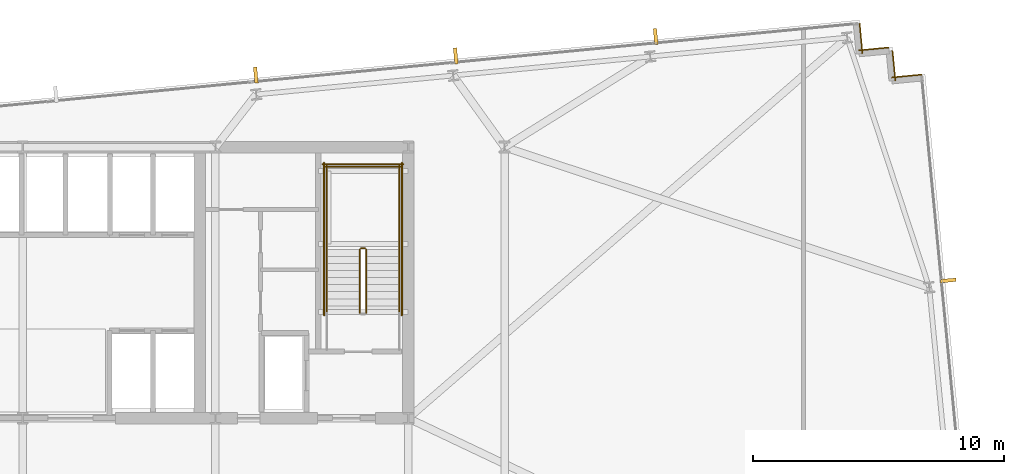
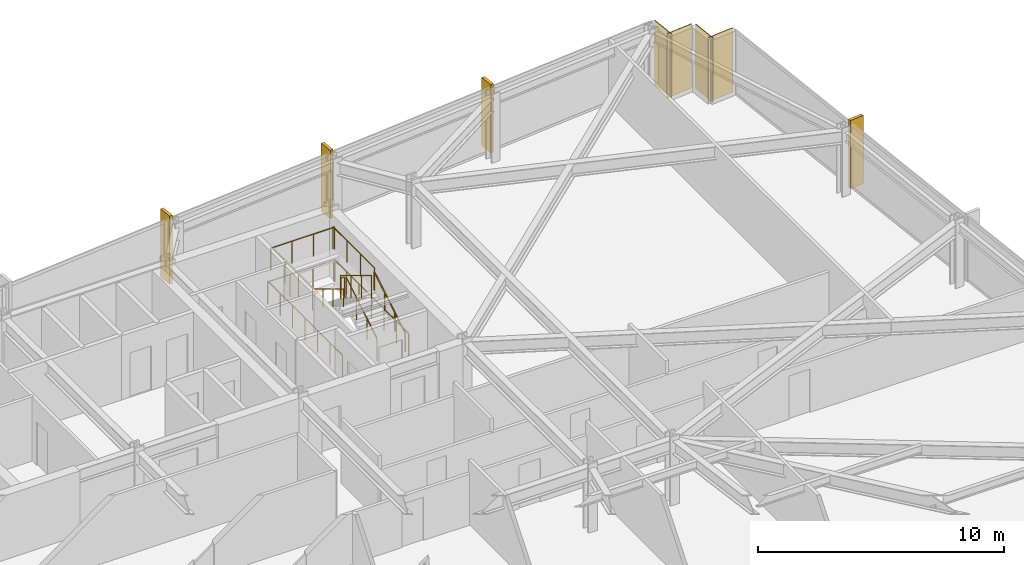
# One storey, part 32 of 32: 11 railings, 4 coverings, 4 shading devices.
"""IFC4 building model written with IfcOpenShell, lengths in metres."""

from ifc_helpers import new_model, si_unit, direction, frame, frame_2d, origin, origin_2d, place, context, subcontext, project, spatial, rectangle, circle, extrude, material, layer, layer_set, type_object, element, save


model = new_model("IFC4")

# Units and contexts
model_context = context("Model", 3, precision=1e-05, world=origin(), true_north=direction((0.0, 1.0)))
body_context = subcontext(model_context, "Body", "Model", "MODEL_VIEW")
ifc_project = project(units=[si_unit("LENGTHUNIT", "METRE"), si_unit("AREAUNIT", "SQUARE_METRE"), si_unit("VOLUMEUNIT", "CUBIC_METRE"), si_unit("PLANEANGLEUNIT", "RADIAN"), si_unit("MASSUNIT", "GRAM", prefix="KILO")], contexts=[model_context])

# Site, building, storey
site_placement = place(None, origin())
site = spatial("IfcSite", under=ifc_project, at=site_placement, CompositionType="ELEMENT")
building_placement = place(site_placement, origin())
building = spatial("IfcBuilding", under=site, at=building_placement, Name="Yelkora Congress Tower", CompositionType="ELEMENT")
storey_placement = place(building_placement, frame((0.0, 0.0, 130.5)))
storey = spatial("IfcBuildingStorey", under=building, at=storey_placement, Name="L35", CompositionType="ELEMENT", Elevation=130.5)

# Coverings
ifc_material_1 = material(Name="Anatolian bush-hammered limestone", Category="masonry")
ifc_layer_1 = layer(ifc_material_1, 0.0400390625)
ifc_layer_set_1 = layer_set([ifc_layer_1], Name="Anatolian bush-hammered limestone")
covering_type = type_object("IfcCoveringType", Name="COV-CLAD-SPANDREL-40", PredefinedType="CLADDING", material=ifc_layer_set_1)
for number, where, z_axis, x_axis, name in (
    (1, (71.74609375, 51.1279296875, 0.0), (0.0, 0.0, 1.0), (0.095817067274, -0.995398960025, 0.0), "L35 Anatolian Limestone Cladding EW-L35-SR11"),
    (2, (71.7138671875, 50.0546875, 0.0), (0.0, 0.0, 1.0), (0.995379537303, 0.096018626938, 0.0), "L35 Anatolian Limestone Cladding EW-L35-SR12"),
):
    element("IfcCovering", number, at=place(storey_placement, frame(where, z_axis=z_axis, x_axis=x_axis)), inside=storey, type_object=covering_type, Name=name, PredefinedType="CLADDING", context=body_context, shape_type="SweptSolid", body=[
        extrude(rectangle(XDim=1.2001953125, YDim=0.0400390625, at=frame_2d((0.60009765625, 0.0))), origin(), (0.0, 0.0, 1.0), 3.179931640625),
    ])
covering_1_placement = place(storey_placement, frame((73.0556640625, 50.04833984375, 0.0), z_axis=(0.0, 0.0, 1.0), x_axis=(0.095836473879, -0.995397091755, 0.0)))
element("IfcCovering", 3, at=covering_1_placement, inside=storey, type_object=covering_type, Name="L35 Anatolian Limestone Cladding EW-L35-SR13", PredefinedType="CLADDING", context=body_context, shape_type="SweptSolid", body=[
    extrude(rectangle(XDim=1.199951171875, YDim=0.0400390625, at=frame_2d((0.60009765625, 0.0))), origin(), (0.0, 0.0, 1.0), 3.179931640625),
])
covering_2_placement = place(storey_placement, frame((73.0234375, 48.975341796875, 0.0), z_axis=(0.0, 0.0, 1.0), x_axis=(0.995398960025, 0.095817067274, 0.0)))
element("IfcCovering", 4, at=covering_2_placement, inside=storey, type_object=covering_type, Name="L35 Anatolian Limestone Cladding EW-L35-SR14", PredefinedType="CLADDING", context=body_context, shape_type="SweptSolid", body=[
    extrude(rectangle(XDim=1.2001953125, YDim=0.0400390625, at=frame_2d((0.60009765625, 0.0))), origin(), (0.0, 0.0, 1.0), 3.179931640625),
])

# Railings
ifc_material_2 = material(Name="Painted galvanised steel stair well guard with vertical infill", Category="steel")
ifc_layer_2 = layer(ifc_material_2, 0.06005859375)
ifc_layer_set_2 = layer_set([ifc_layer_2], Name="Painted galvanised steel stair well guard with vertical infill")
railing_type_1 = type_object("IfcRailingType", Name="RAIL-STAIR-GUARD-1120", PredefinedType="GUARDRAIL", material=ifc_layer_set_2)
railing_1_placement = place(storey_placement, frame((52.090087890625, 39.60009765625, 0.169921875)))
element("IfcRailing", 5, at=railing_1_placement, inside=storey, type_object=railing_type_1, Name="ST-02 L35 Stair Well Guardrail 1", PredefinedType="GUARDRAIL", context=body_context, shape_type="SweptSolid", body=[
    extrude(circle(Radius=0.02392578125, at=origin_2d()), frame((0.0, 0.0, 1.09619140625), z_axis=(0.0, 0.85478489116, 0.518982456201), x_axis=(-1.0, 0.0, 0.0)), (0.0, 0.0, 1.0), 2.9482421875),
    extrude(circle(Radius=0.02099609375, at=origin_2d()), origin(), (0.0, 0.0, 1.0), 1.072021484375),
    extrude(circle(Radius=0.02099609375, at=origin_2d()), frame((0.0, 0.840087890625, 0.510009765625)), (0.0, 0.0, 1.0), 1.072021484375),
    extrude(circle(Radius=0.02099609375, at=origin_2d()), frame((0.0, 1.679931640625, 1.02001953125)), (0.0, 0.0, 1.0), 1.072021484375),
    extrude(circle(Radius=0.02099609375, at=origin_2d()), frame((0.0, 2.52001953125, 1.530029296875)), (0.0, 0.0, 1.0), 1.072021484375),
])
railing_2_placement = place(storey_placement, frame((52.0400390625, 42.169921875, 1.699951171875)))
element("IfcRailing", 6, at=railing_2_placement, inside=storey, type_object=railing_type_1, Name="ST-02 L35 Stair Well Guardrail 2", PredefinedType="GUARDRAIL", context=body_context, shape_type="SweptSolid", body=[
    extrude(circle(Radius=0.02392578125, at=origin_2d()), frame((0.0, 0.0, 1.09619140625), z_axis=(-1.0, 0.0, 0.0), x_axis=(0.0, -1.0, 0.0)), (0.0, 0.0, 1.0), 0.16015625),
    extrude(circle(Radius=0.02099609375, at=origin_2d()), origin(), (0.0, 0.0, 1.0), 1.072021484375),
    extrude(circle(Radius=0.02099609375, at=origin_2d()), frame((-0.16015625, 0.0, 0.0)), (0.0, 0.0, 1.0), 1.072021484375),
])
for number, where, name in (
    (7, (53.409912109375, 42.1201171875, 1.699951171875), "ST-02 L35 Stair Well Guardrail 3"),
    (8, (50.510009765625, 42.1201171875, 1.699951171875), "ST-02 L35 Stair Well Guardrail 4"),
):
    element("IfcRailing", number, at=place(storey_placement, frame(where)), inside=storey, type_object=railing_type_1, Name=name, PredefinedType="GUARDRAIL", context=body_context, shape_type="SweptSolid", body=[
        extrude(circle(Radius=0.02392578125, at=origin_2d()), frame((0.0, 0.0, 1.09619140625), z_axis=(0.0, 1.0, 0.0), x_axis=(-1.0, 0.0, 0.0)), (0.0, 0.0, 1.0), 3.349853515625),
        extrude(circle(Radius=0.02099609375, at=origin_2d()), origin(), (0.0, 0.0, 1.0), 1.072021484375),
        extrude(circle(Radius=0.02099609375, at=origin_2d()), frame((0.0, 1.11669921875, 0.0)), (0.0, 0.0, 1.0), 1.072021484375),
        extrude(circle(Radius=0.02099609375, at=origin_2d()), frame((0.0, 2.233154296875, 0.0)), (0.0, 0.0, 1.0), 1.072021484375),
        extrude(circle(Radius=0.02099609375, at=origin_2d()), frame((0.0, 3.349853515625, 0.0)), (0.0, 0.0, 1.0), 1.072021484375),
    ])
railing_3_placement = place(storey_placement, frame((53.4599609375, 45.419921875, 1.699951171875)))
element("IfcRailing", 9, at=railing_3_placement, inside=storey, type_object=railing_type_1, Name="ST-02 L35 Stair Well Guardrail 5", PredefinedType="GUARDRAIL", context=body_context, shape_type="SweptSolid", body=[
    extrude(circle(Radius=0.02392578125, at=origin_2d()), frame((0.0, 0.0, 1.09619140625), z_axis=(-1.0, 0.0, 0.0), x_axis=(0.0, -1.0, 0.0)), (0.0, 0.0, 1.0), 3.0),
    extrude(circle(Radius=0.02099609375, at=origin_2d()), origin(), (0.0, 0.0, 1.0), 1.072021484375),
    extrude(circle(Radius=0.02099609375, at=origin_2d()), frame((-1.0, 0.0, 0.0)), (0.0, 0.0, 1.0), 1.072021484375),
    extrude(circle(Radius=0.02099609375, at=origin_2d()), frame((-2.0, 0.0, 0.0)), (0.0, 0.0, 1.0), 1.072021484375),
    extrude(circle(Radius=0.02099609375, at=origin_2d()), frame((-3.0, 0.0, 0.0)), (0.0, 0.0, 1.0), 1.072021484375),
])
railing_4_placement = place(storey_placement, frame((51.830078125, 42.1201171875, 1.8701171875)))
element("IfcRailing", 10, at=railing_4_placement, inside=storey, type_object=railing_type_1, Name="ST-02 L35 Stair Well Guardrail 6", PredefinedType="GUARDRAIL", context=body_context, shape_type="SweptSolid", body=[
    extrude(circle(Radius=0.02392578125, at=origin_2d()), frame((0.0, 0.0, 1.09619140625), z_axis=(0.0, -0.854821627497, 0.518921945155), x_axis=(1.0, 0.0, 0.0)), (0.0, 0.0, 1.0), 2.947998046875),
    extrude(circle(Radius=0.02099609375, at=origin_2d()), origin(), (0.0, 0.0, 1.0), 1.072021484375),
    extrude(circle(Radius=0.02099609375, at=origin_2d()), frame((0.0, -0.840087890625, 0.510009765625)), (0.0, 0.0, 1.0), 1.072021484375),
    extrude(circle(Radius=0.02099609375, at=origin_2d()), frame((0.0, -1.679931640625, 1.019775390625)), (0.0, 0.0, 1.0), 1.072021484375),
    extrude(circle(Radius=0.02099609375, at=origin_2d()), frame((0.0, -2.52001953125, 1.52978515625)), (0.0, 0.0, 1.0), 1.072021484375),
])
for number, where, name in (
    (11, (53.510009765625, 39.5, 0.0), "ST-02 L35 Stair Well Guardrail 10"),
    (12, (50.409912109375, 39.5, 0.0), "ST-02 L35 Stair Well Guardrail 11"),
):
    element("IfcRailing", number, at=place(storey_placement, frame(where)), inside=storey, type_object=railing_type_1, Name=name, PredefinedType="GUARDRAIL", context=body_context, shape_type="SweptSolid", body=[
        extrude(circle(Radius=0.02392578125, at=origin_2d()), frame((0.0, 0.0, 1.09619140625), z_axis=(0.0, 1.0, 0.0), x_axis=(-1.0, 0.0, 0.0)), (0.0, 0.0, 1.0), 6.070068359375),
        extrude(circle(Radius=0.02099609375, at=origin_2d()), origin(), (0.0, 0.0, 1.0), 1.072021484375),
        extrude(circle(Radius=0.02099609375, at=origin_2d()), frame((0.0, 1.01171875, 0.0)), (0.0, 0.0, 1.0), 1.072021484375),
        extrude(circle(Radius=0.02099609375, at=origin_2d()), frame((0.0, 2.0234375, 0.0)), (0.0, 0.0, 1.0), 1.072021484375),
        extrude(circle(Radius=0.02099609375, at=origin_2d()), frame((0.0, 3.03515625, 0.0)), (0.0, 0.0, 1.0), 1.072021484375),
        extrude(circle(Radius=0.02099609375, at=origin_2d()), frame((0.0, 4.046630859375, 0.0)), (0.0, 0.0, 1.0), 1.072021484375),
        extrude(circle(Radius=0.02099609375, at=origin_2d()), frame((0.0, 5.058349609375, 0.0)), (0.0, 0.0, 1.0), 1.072021484375),
        extrude(circle(Radius=0.02099609375, at=origin_2d()), frame((0.0, 6.070068359375, 0.0)), (0.0, 0.0, 1.0), 1.072021484375),
    ])
railing_5_placement = place(storey_placement, frame((53.56005859375, 45.52001953125, 0.0)))
element("IfcRailing", 13, at=railing_5_placement, inside=storey, type_object=railing_type_1, Name="ST-02 L35 Stair Well Guardrail 12", PredefinedType="GUARDRAIL", context=body_context, shape_type="SweptSolid", body=[
    extrude(circle(Radius=0.02392578125, at=origin_2d()), frame((0.0, 0.0, 1.09619140625), z_axis=(-1.0, 0.0, 0.0), x_axis=(0.0, -1.0, 0.0)), (0.0, 0.0, 1.0), 3.199951171875),
    extrude(circle(Radius=0.02099609375, at=origin_2d()), origin(), (0.0, 0.0, 1.0), 1.072021484375),
    extrude(circle(Radius=0.02099609375, at=origin_2d()), frame((-1.066650390625, 0.0, 0.0)), (0.0, 0.0, 1.0), 1.072021484375),
    extrude(circle(Radius=0.02099609375, at=origin_2d()), frame((-2.13330078125, 0.0, 0.0)), (0.0, 0.0, 1.0), 1.072021484375),
    extrude(circle(Radius=0.02099609375, at=origin_2d()), frame((-3.199951171875, 0.0, 0.0)), (0.0, 0.0, 1.0), 1.072021484375),
])
ifc_material_3 = material(Name="Brushed stainless steel tubular handrail", Category="steel")
ifc_layer_3 = layer(ifc_material_3, 0.050048828125)
ifc_layer_set_3 = layer_set([ifc_layer_3], Name="Brushed stainless steel tubular handrail")
railing_type_2 = type_object("IfcRailingType", Name="RAIL-STAIR-HAND-920", PredefinedType="HANDRAIL", material=ifc_layer_set_3)
railing_6_placement = place(storey_placement, frame((53.409912109375, 39.60009765625, 0.169921875)))
element("IfcRailing", 14, at=railing_6_placement, inside=storey, type_object=railing_type_2, Name="ST-02 L35 Pitch Handrail 1", PredefinedType="HANDRAIL", context=body_context, shape_type="SweptSolid", body=[
    extrude(circle(Radius=0.02392578125, at=origin_2d()), frame((0.0, 0.0, 0.89599609375), z_axis=(0.0, 0.85478489116, 0.518982456201), x_axis=(-1.0, 0.0, 0.0)), (0.0, 0.0, 1.0), 2.9482421875),
    extrude(circle(Radius=0.02099609375, at=origin_2d()), origin(), (0.0, 0.0, 1.0), 0.871826171875),
    extrude(circle(Radius=0.02099609375, at=origin_2d()), frame((0.0, 0.840087890625, 0.510009765625)), (0.0, 0.0, 1.0), 0.871826171875),
    extrude(circle(Radius=0.02099609375, at=origin_2d()), frame((0.0, 1.679931640625, 1.02001953125)), (0.0, 0.0, 1.0), 0.871826171875),
    extrude(circle(Radius=0.02099609375, at=origin_2d()), frame((0.0, 2.52001953125, 1.530029296875)), (0.0, 0.0, 1.0), 0.871826171875),
])
railing_7_placement = place(storey_placement, frame((50.510009765625, 42.1201171875, 1.8701171875)))
element("IfcRailing", 15, at=railing_7_placement, inside=storey, type_object=railing_type_2, Name="ST-02 L35 Pitch Handrail 2", PredefinedType="HANDRAIL", context=body_context, shape_type="SweptSolid", body=[
    extrude(circle(Radius=0.02392578125, at=origin_2d()), frame((0.0, 0.0, 0.89599609375), z_axis=(0.0, -0.854821627497, 0.518921945155), x_axis=(1.0, 0.0, 0.0)), (0.0, 0.0, 1.0), 2.947998046875),
    extrude(circle(Radius=0.02099609375, at=origin_2d()), origin(), (0.0, 0.0, 1.0), 0.871826171875),
    extrude(circle(Radius=0.02099609375, at=origin_2d()), frame((0.0, -0.840087890625, 0.510009765625)), (0.0, 0.0, 1.0), 0.871826171875),
    extrude(circle(Radius=0.02099609375, at=origin_2d()), frame((0.0, -1.679931640625, 1.019775390625)), (0.0, 0.0, 1.0), 0.871826171875),
    extrude(circle(Radius=0.02099609375, at=origin_2d()), frame((0.0, -2.52001953125, 1.52978515625)), (0.0, 0.0, 1.0), 0.871826171875),
])

# Shading devices
ifc_material_4 = material(Name="Champagne anodised aluminium", Category="aluminium")
ifc_layer_4 = layer(ifc_material_4, 3.39990234375)
ifc_layer_set_4 = layer_set([ifc_layer_4], Name="Champagne anodised aluminium")
shading_device_type = type_object("IfcShadingDeviceType", Name="SHD-FIN-ALU-640", PredefinedType="USERDEFINED", material=ifc_layer_set_4)
for number, where, z_axis, x_axis, name in (
    (16, (47.68896484375, 49.072509765625, -0.030029296875), (0.0, 0.0, 1.0), (0.995396198367, 0.09584575252, 0.0), "L35 Vertical Anodised Solar Fin 10-4"),
    (17, (55.65478515625, 49.839599609375, -0.030029296875), (0.0, 0.0, 1.0), (0.995396198367, 0.09584575252, 0.0), "L35 Vertical Anodised Solar Fin 10-5"),
    (18, (63.620849609375, 50.606689453125, -0.030029296875), (0.0, 0.0, 1.0), (0.995396198367, 0.09584575252, 0.0), "L35 Vertical Anodised Solar Fin 10-6"),
    (19, (75.268798828125, 40.888427734375, -0.030029296875), (0.0, 0.0, 1.0), (0.09584575252, -0.995396198367, 0.0), "L35 Vertical Anodised Solar Fin 15-1"),
):
    element("IfcShadingDevice", number, at=place(storey_placement, frame(where, z_axis=z_axis, x_axis=x_axis)), inside=storey, type_object=shading_device_type, Name=name, ObjectType="FIN", PredefinedType="USERDEFINED", context=body_context, shape_type="SweptSolid", body=[
        extrude(rectangle(XDim=0.139892578125, YDim=0.639892578125, at=origin_2d()), origin(), (0.0, 0.0, 1.0), 3.3798828125),
    ])

save(model, "model.ifc")
